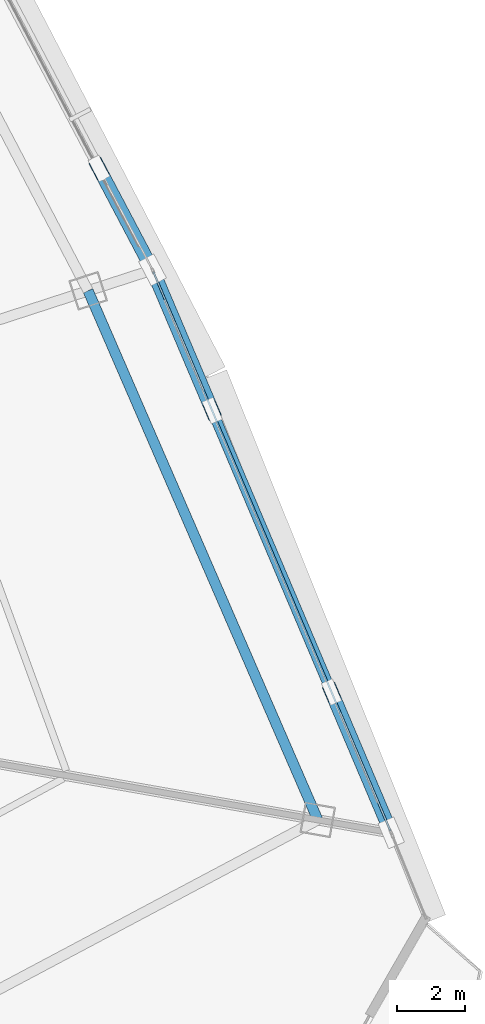
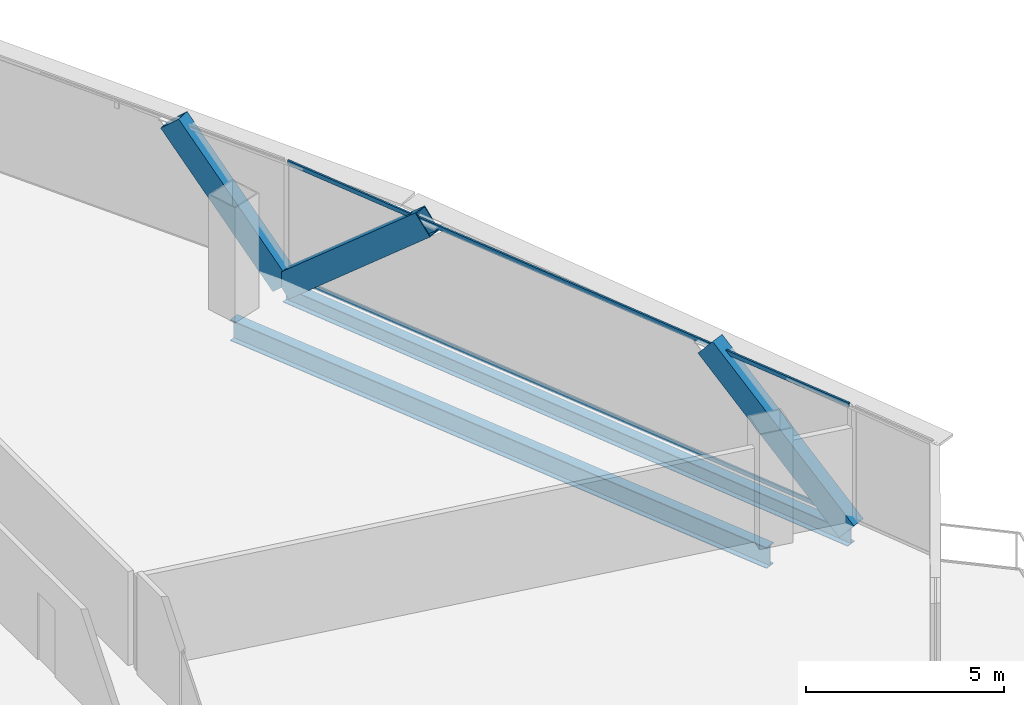
# One storey, part 25 of 37: 5 members, 2 beams, 1 element without a shape of its own.
"""IFC4 building model written with IfcOpenShell, lengths in metres."""

from ifc_helpers import new_model, si_unit, direction, frame, origin, origin_2d, place, context, subcontext, project, spatial, hollow_rectangle, i_section, extrude, source, transform, mapped, material, layer, layer_set, material_profile, profile_set, type_object, element, aggregate, save


model = new_model("IFC4")

# Units and contexts
model_context = context("Model", 3, precision=1e-05, world=origin(), true_north=direction((0.0, 1.0)))
body_context = subcontext(model_context, "Body", "Model", "MODEL_VIEW")
ifc_project = project(units=[si_unit("LENGTHUNIT", "METRE"), si_unit("AREAUNIT", "SQUARE_METRE"), si_unit("VOLUMEUNIT", "CUBIC_METRE"), si_unit("PLANEANGLEUNIT", "RADIAN"), si_unit("MASSUNIT", "GRAM", prefix="KILO"), si_unit("THERMODYNAMICTEMPERATUREUNIT", "KELVIN"), si_unit("POWERUNIT", "WATT")], contexts=[model_context])

# Site, building, storey
site_placement = place(None, origin())
site = spatial("IfcSite", under=ifc_project, at=site_placement, CompositionType="ELEMENT")
building_placement = place(site_placement, origin())
building = spatial("IfcBuilding", under=site, at=building_placement, Name="Yunzhuo Pagoda Commons", CompositionType="ELEMENT")
storey_placement = place(building_placement, frame((0.0, 0.0, 192.360107421875)))
storey = spatial("IfcBuildingStorey", under=building, at=storey_placement, Name="L48", CompositionType="ELEMENT", Elevation=192.360107421875)

# Beams
ifc_material_1 = material(Name="Structural steel Q355B", Category="steel")
ifc_material_profile_1 = material_profile(ifc_material_1, i_section(OverallWidth=0.300048828125, OverallDepth=0.64990234375, WebThickness=0.012939453125, FlangeThickness=0.02197265625, at=origin_2d()), Name="Structural steel Q355B")
ifc_profile_set_1 = profile_set([ifc_material_profile_1], Name="Structural steel Q355B")
beam_type_1 = type_object("IfcBeamType", Name="B-RG2 Beam HN 650x300x13x22", PredefinedType="BEAM", material=ifc_profile_set_1)
shared_shape_1 = source(origin(), body_context, "Body", "SweptSolid", [
    extrude(i_section(OverallWidth=0.300048828125, OverallDepth=0.64990234375, WebThickness=0.012939453125, FlangeThickness=0.02197265625, at=origin_2d()), origin(), (0.0, 0.0, 1.0), 16.859619140625),
])
beam_1_placement = place(storey_placement, frame((83.20654296875, 27.492431640625, -0.585205078125), z_axis=(-0.398104384161, 0.917340121935, 0.0), x_axis=(-0.917340121935, -0.398104384161, 0.0)))
element("IfcBeam", 1, at=beam_1_placement, inside=storey, type_object=beam_type_1, Name="L48 column-ring beam 5", PredefinedType="BEAM", context=body_context, shape_type="MappedRepresentation", body=[
    mapped(shared_shape_1, transform((0.0, 0.0, 0.0), scale=1.0)),
])
ifc_material_profile_2 = material_profile(ifc_material_1, i_section(OverallWidth=0.300048828125, OverallDepth=0.488037109375, WebThickness=0.010986328125, FlangeThickness=0.01806640625, at=origin_2d()), Name="Structural steel Q355B")
ifc_profile_set_2 = profile_set([ifc_material_profile_2], Name="Structural steel Q355B")
beam_type_2 = type_object("IfcBeamType", Name="B-SP1 Beam HM 488x300x11x18", PredefinedType="BEAM", material=ifc_profile_set_2)
shared_shape_2 = source(origin(), body_context, "Body", "SweptSolid", [
    extrude(i_section(OverallWidth=0.300048828125, OverallDepth=0.488037109375, WebThickness=0.010986328125, FlangeThickness=0.01806640625, at=origin_2d()), origin(), (0.0, 0.0, 1.0), 17.874267578125),
])
beam_2_placement = place(storey_placement, frame((85.353515625, 27.113525390625, -0.504150390625), z_axis=(-0.390352355203, 0.920665541219, 0.0), x_axis=(-0.920665541219, -0.390352355203, 0.0)))
element("IfcBeam", 2, at=beam_2_placement, inside=storey, type_object=beam_type_2, Name="L48 facade edge spandrel beam F2.1", PredefinedType="BEAM", context=body_context, shape_type="MappedRepresentation", body=[
    mapped(shared_shape_2, transform((0.0, 0.0, 0.0), scale=1.0)),
])

# Members
ifc_material_profile_3 = material_profile(ifc_material_1, hollow_rectangle(XDim=0.39990234375, YDim=0.719970703125, WallThickness=0.02392578125, at=origin_2d()), Name="Structural steel Q355B")
ifc_profile_set_3 = profile_set([ifc_material_profile_3], Name="Structural steel Q355B")
member_type_1 = type_object("IfcMemberType", Name="M-DL2 Brace BOX 720x400x24", PredefinedType="BRACE", material=ifc_profile_set_3)
shared_shape_3 = source(origin(), body_context, "Body", "SweptSolid", [
    extrude(hollow_rectangle(XDim=0.39990234375, YDim=0.719970703125, WallThickness=0.02392578125, at=origin_2d()), origin(), (0.0, 0.0, 1.0), 5.865966796875),
])
member_1_placement = place(storey_placement, frame((85.353515625, 27.113525390625, -0.260009765625), z_axis=(-0.297378347719, 0.701388371694, 0.647781190188), x_axis=(-0.920666876171, -0.390349206637, 0.0)))
element("IfcMember", 3, at=member_1_placement, inside=storey, type_object=member_type_1, Name="L48 facade diamond brace F2.1L", PredefinedType="BRACE", context=body_context, shape_type="MappedRepresentation", body=[
    mapped(shared_shape_3, transform((0.0, 0.0, 0.0), scale=1.0)),
])
shared_shape_4 = source(origin(), body_context, "Body", "SweptSolid", [
    extrude(hollow_rectangle(XDim=0.39990234375, YDim=0.719970703125, WallThickness=0.02392578125, at=origin_2d()), origin(), (0.0, 0.0, 1.0), 5.86572265625),
])
member_2_placement = place(storey_placement, frame((78.376220703125, 43.56982421875, -0.260009765625), z_axis=(0.297433651322, -0.701337395014, 0.647810992047), x_axis=(0.920630586421, 0.390434787571, 0.0)))
element("IfcMember", 4, at=member_2_placement, inside=storey, type_object=member_type_1, Name="L48 facade diamond brace F2.1R", PredefinedType="BRACE", context=body_context, shape_type="MappedRepresentation", body=[
    mapped(shared_shape_4, transform((0.0, 0.0, 0.0), scale=1.0)),
])
shared_shape_5 = source(origin(), body_context, "Body", "SweptSolid", [
    extrude(hollow_rectangle(XDim=0.39990234375, YDim=0.719970703125, WallThickness=0.02392578125, at=origin_2d()), origin(), (0.0, 0.0, 1.0), 5.065673828125),
])
member_3_placement = place(storey_placement, frame((78.376220703125, 43.56982421875, -0.260009765625), z_axis=(-0.308550295467, 0.584905714743, 0.75012133687), x_axis=(-0.884478331811, -0.466581268973, 0.0)))
element("IfcMember", 5, at=member_3_placement, inside=storey, type_object=member_type_1, Name="L48 facade diamond brace F2.2L", PredefinedType="BRACE", context=body_context, shape_type="MappedRepresentation", body=[
    mapped(shared_shape_5, transform((0.0, 0.0, 0.0), scale=1.0)),
])

# Curtain wall, members
ifc_material_2 = material(Name="Anodized aluminium 6063-T6", Category="aluminium")
ifc_layer = layer(ifc_material_2, 0.14990234375)
ifc_layer_set = layer_set([ifc_layer], Name="Anodized aluminium 6063-T6")
curtain_wall_type = type_object("IfcCurtainWallType", Name="CW-MID Mid-Zone Ribbon Curtain Wall", PredefinedType="NOTDEFINED", material=ifc_layer_set)
curtain_wall_placement = place(storey_placement, origin())
curtain_wall = element("IfcCurtainWall", 6, at=curtain_wall_placement, inside=storey, type_object=curtain_wall_type, Name="L48 curtain wall CW-L48-F2B2", PredefinedType="NOTDEFINED")
ifc_material_profile_4 = material_profile(ifc_material_2, hollow_rectangle(XDim=0.054931640625, YDim=0.1298828125, WallThickness=0.00341796875, at=origin_2d()), Name="Anodized aluminium 6063-T6")
ifc_profile_set_4 = profile_set([ifc_material_profile_4], Name="Anodized aluminium 6063-T6")
member_type_2 = type_object("IfcMemberType", Name="CW-MID-T Transom RHS 130x55x3.5", PredefinedType="USERDEFINED", material=ifc_profile_set_4)
shared_shape_6 = source(origin(), body_context, "Body", "SweptSolid", [
    extrude(hollow_rectangle(XDim=0.054931640625, YDim=0.1298828125, WallThickness=0.00341796875, at=origin_2d()), origin(), (0.0, 0.0, 1.0), 17.754150390625),
])
member_4_placement = place(storey_placement, frame((85.330078125, 27.1689453125, 0.02734375), z_axis=(-0.39035313802, 0.920665209312, 0.0), x_axis=(-0.920665209312, -0.39035313802, 0.0)))
member_4 = element("IfcMember", 7, at=member_4_placement, type_object=member_type_2, Name="CW transom 1.1", ObjectType="TRANSOM", PredefinedType="USERDEFINED", context=body_context, shape_type="MappedRepresentation", body=[
    mapped(shared_shape_6, transform((0.0, 0.0, 0.0), scale=1.0)),
])
member_5_placement = place(storey_placement, frame((85.330078125, 27.1689453125, 3.512451171875), z_axis=(-0.39035313802, 0.920665209312, 0.0), x_axis=(-0.920665209312, -0.39035313802, 0.0)))
member_5 = element("IfcMember", 8, at=member_5_placement, type_object=member_type_2, Name="CW transom 1.2", ObjectType="TRANSOM", PredefinedType="USERDEFINED", context=body_context, shape_type="MappedRepresentation", body=[
    mapped(shared_shape_6, transform((0.0, 0.0, 0.0), scale=1.0)),
])
aggregate(curtain_wall, [member_4, member_5])

save(model, "model.ifc")
